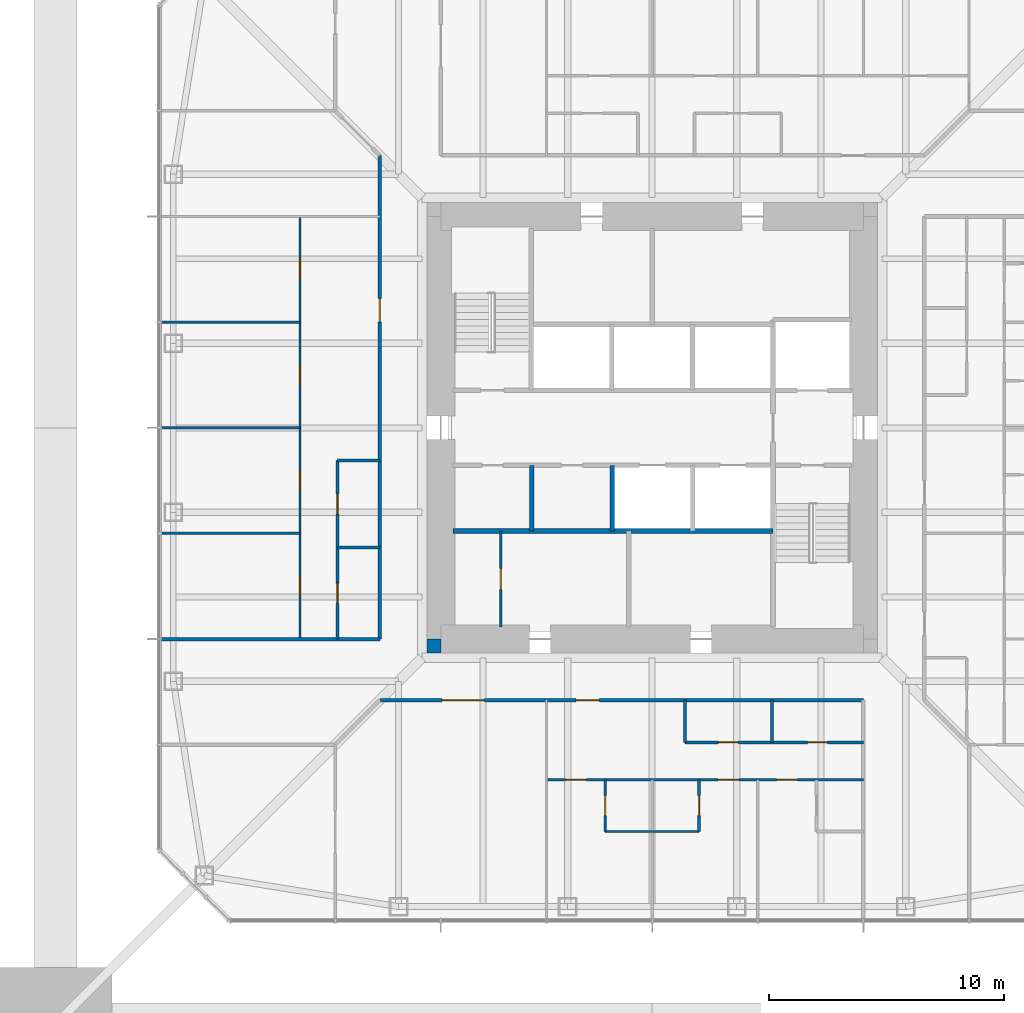
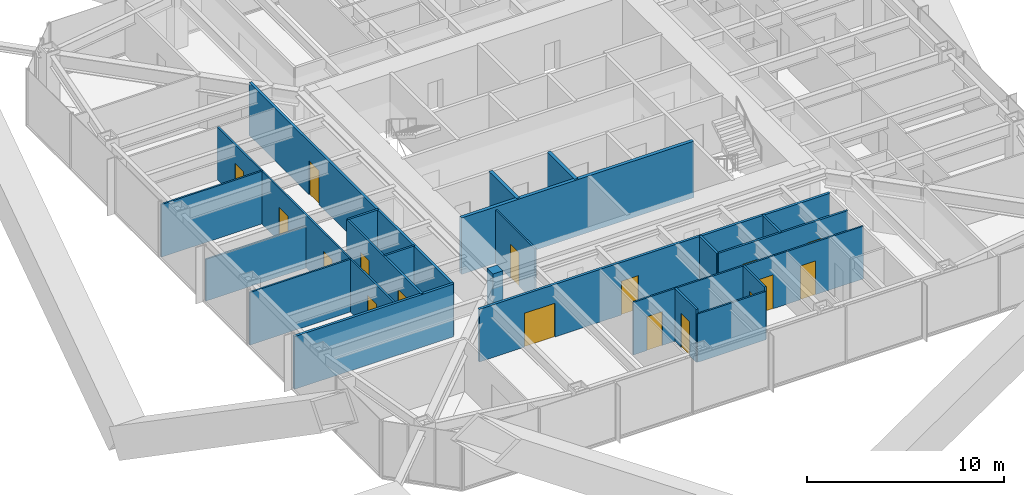
# One storey, part 10 of 17: 22 walls, 17 doors, 17 openings.
"""IFC4 building model written with IfcOpenShell, lengths in metres."""

from ifc_helpers import new_model, si_unit, direction, frame, frame_2d, origin, place, context, subcontext, project, spatial, rectangle, extrude, material, layer, layer_set, type_object, element, fill, save


model = new_model("IFC4")

# Units and contexts
model_context = context("Model", 3, precision=1e-05, world=origin(), true_north=direction((0.0, 1.0)))
body_context = subcontext(model_context, "Body", "Model", "MODEL_VIEW")
ifc_project = project(units=[si_unit("LENGTHUNIT", "METRE"), si_unit("AREAUNIT", "SQUARE_METRE"), si_unit("VOLUMEUNIT", "CUBIC_METRE"), si_unit("PLANEANGLEUNIT", "RADIAN"), si_unit("MASSUNIT", "GRAM", prefix="KILO")], contexts=[model_context])

# Site, building, storey
site_placement = place(None, origin())
site = spatial("IfcSite", under=ifc_project, at=site_placement, CompositionType="ELEMENT")
building_placement = place(site_placement, origin())
building = spatial("IfcBuilding", under=site, at=building_placement, Name="Iwan Alto Co-Living Towers", CompositionType="ELEMENT")
storey_placement = place(building_placement, frame((0.0, 0.0, 133.0)))
storey = spatial("IfcBuildingStorey", under=building, at=storey_placement, Name="L36", CompositionType="ELEMENT", Elevation=133.0)

# Wall, openings, doors
ifc_material_1 = material(Name="Gypsum board")
ifc_layer_1 = layer(ifc_material_1, 0.02490234375, Name="Board", Category="Finish")
ifc_material_2 = material(Name="Steel ASTM A1003 ST33H cold-formed studs", Category="steel")
ifc_layer_2 = layer(ifc_material_2, 0.10009765625, Name="Studs", Category="Framing")
ifc_layer_3 = layer(ifc_material_1, 0.02490234375, Name="Board", Category="Finish")
ifc_layer_set_1 = layer_set([ifc_layer_1, ifc_layer_2, ifc_layer_3], Name="CORRIDOR WALL 150")
wall_type_1 = type_object("IfcWallType", Name="CORRIDOR WALL 150", PredefinedType="PARTITIONING", material=ifc_layer_set_1)
wall_1_placement = place(storey_placement, frame((-11.60009765625, -11.60009765625, 0.0), z_axis=(0.0, 0.0, 1.0), x_axis=(1.0, 0.0, 0.0)))
wall_1 = element("IfcWall", 1, at=wall_1_placement, inside=storey, type_object=wall_type_1, Name="Partition L36", PredefinedType="PARTITIONING", context=body_context, shape_type="SweptSolid", body=[
    extrude(rectangle(XDim=20.60009765625, YDim=0.14990234375, at=frame_2d((10.300048828125, 0.0))), origin(), (0.0, 0.0, 1.0), 3.27001953125),
])
opening_1_placement = place(wall_1_placement, frame((2.64990234375, 0.0, 0.0)))
opening_1 = element("IfcOpeningElement", 2, at=opening_1_placement, cuts=wall_1, Name="Opening D9", PredefinedType="OPENING", context=body_context, shape_type="SweptSolid", body=[
    extrude(rectangle(XDim=1.800048828125, YDim=2.10009765625, at=frame_2d((0.89990234375, 1.050048828125))), frame((0.0, 0.0849609375, 0.0), z_axis=(0.0, -1.0, 0.0), x_axis=(1.0, 0.0, 0.0)), (0.0, 0.0, 1.0), 0.169921875),
])
opening_2_placement = place(wall_1_placement, frame((8.35009765625, 0.0, 0.0)))
opening_2 = element("IfcOpeningElement", 3, at=opening_2_placement, cuts=wall_1, Name="Opening D3", PredefinedType="OPENING", context=body_context, shape_type="SweptSolid", body=[
    extrude(rectangle(XDim=1.0, YDim=2.10009765625, at=frame_2d((0.5, 1.050048828125))), frame((0.0, 0.0849609375, 0.0), z_axis=(0.0, -1.0, 0.0), x_axis=(1.0, 0.0, 0.0)), (0.0, 0.0, 1.0), 0.169921875),
])
ifc_material_3 = material(Name="Steel frame with timber leaf", Category="steel")
door_type_1 = type_object("IfcDoorType", Name="FLAT ENTRANCE DOOR FD30S 1000X2100", OperationType="SINGLE_SWING_LEFT", PredefinedType="DOOR", material=ifc_material_3)
door_1_placement = place(opening_2_placement, frame((1.0, 0.0, 0.0), z_axis=(0.0, 0.0, 1.0), x_axis=(-1.0, 0.0, 0.0)))
door_1 = element("IfcDoor", 4, at=door_1_placement, inside=storey, type_object=door_type_1, Name="Cluster lounge and shared kitchen door L36", OperationType="SINGLE_SWING_RIGHT", OverallHeight=2.10009765625, OverallWidth=1.0, PredefinedType="DOOR", context=body_context, shape_type="SweptSolid", body=[
    extrude(rectangle(XDim=1.0, YDim=2.10009765625, at=frame_2d((0.5, 1.050048828125))), frame((0.0, 0.02490234375, 0.0), z_axis=(0.0, -1.0, 0.0), x_axis=(1.0, 0.0, 0.0)), (0.0, 0.0, 1.0), 0.050048828125),
])
fill(opening_2, door_1)
ifc_material_4 = material(Name="Steel frame with timber leaf", Category="steel")
door_type_2 = type_object("IfcDoorType", Name="LOUNGE DOOR FD30S 1800X2100", OperationType="DOUBLE_DOOR_SINGLE_SWING", PredefinedType="DOOR", material=ifc_material_4)
door_2_placement = place(opening_1_placement, frame((1.800048828125, 0.0, 0.0), z_axis=(0.0, 0.0, 1.0), x_axis=(-1.0, 0.0, 0.0)))
door_2 = element("IfcDoor", 5, at=door_2_placement, inside=storey, type_object=door_type_2, Name="Study commons door L36", OperationType="DOUBLE_DOOR_SINGLE_SWING", OverallHeight=2.10009765625, OverallWidth=1.800048828125, PredefinedType="DOOR", context=body_context, shape_type="SweptSolid", body=[
    extrude(rectangle(XDim=1.800048828125, YDim=2.10009765625, at=frame_2d((0.89990234375, 1.050048828125))), frame((0.0, 0.02490234375, 0.0), z_axis=(0.0, -1.0, 0.0), x_axis=(1.0, 0.0, 0.0)), (0.0, 0.0, 1.0), 0.050048828125),
])
fill(opening_1, door_2)

# Wall
wall_2_placement = place(storey_placement, frame((-20.93994140625, -9.0, 0.0), z_axis=(0.0, 0.0, 1.0), x_axis=(1.0, 0.0, 0.0)))
element("IfcWall", 6, at=wall_2_placement, inside=storey, type_object=wall_type_1, Name="Partition L36", PredefinedType="PARTITIONING", context=body_context, shape_type="SweptSolid", body=[
    extrude(rectangle(XDim=9.33984375, YDim=0.14990234375, at=frame_2d((4.669921875, 0.0))), origin(), (0.0, 0.0, 1.0), 3.27001953125),
])

# Wall, opening, door
wall_3_placement = place(storey_placement, frame((-11.60009765625, -9.0, 0.0), z_axis=(0.0, 0.0, 1.0), x_axis=(0.0, 1.0, 0.0)))
wall_3 = element("IfcWall", 7, at=wall_3_placement, inside=storey, type_object=wall_type_1, Name="Partition L36", PredefinedType="PARTITIONING", context=body_context, shape_type="SweptSolid", body=[
    extrude(rectangle(XDim=20.60009765625, YDim=0.14990234375, at=frame_2d((10.300048828125, 0.0))), origin(), (0.0, 0.0, 1.0), 3.27001953125),
])
opening_3_placement = place(wall_3_placement, frame((13.5, 0.0, 0.0)))
opening_3 = element("IfcOpeningElement", 8, at=opening_3_placement, cuts=wall_3, Name="Opening D3", PredefinedType="OPENING", context=body_context, shape_type="SweptSolid", body=[
    extrude(rectangle(XDim=1.0, YDim=2.10009765625, at=frame_2d((0.5, 1.050048828125))), frame((0.0, 0.0849609375, 0.0), z_axis=(0.0, -1.0, 0.0), x_axis=(1.0, 0.0, 0.0)), (0.0, 0.0, 1.0), 0.169921875),
])
door_3_placement = place(opening_3_placement, origin())
door_3 = element("IfcDoor", 9, at=door_3_placement, inside=storey, type_object=door_type_1, Name="Cluster lounge and shared kitchen door L36", OperationType="SINGLE_SWING_RIGHT", OverallHeight=2.10009765625, OverallWidth=1.0, PredefinedType="DOOR", context=body_context, shape_type="SweptSolid", body=[
    extrude(rectangle(XDim=1.0, YDim=2.10009765625, at=frame_2d((0.5, 1.050048828125))), frame((0.0, 0.02490234375, 0.0), z_axis=(0.0, -1.0, 0.0), x_axis=(1.0, 0.0, 0.0)), (0.0, 0.0, 1.0), 0.050048828125),
])
fill(opening_3, door_3)

# Wall
ifc_layer_4 = layer(ifc_material_1, 0.012451171875, Name="Board", Category="Finish")
ifc_layer_5 = layer(ifc_material_2, 0.074951171875, Name="Studs", Category="Framing")
ifc_layer_6 = layer(ifc_material_1, 0.012451171875, Name="Board", Category="Finish")
ifc_layer_set_2 = layer_set([ifc_layer_4, ifc_layer_5, ifc_layer_6], Name="PARTITION 100")
wall_type_2 = type_object("IfcWallType", Name="PARTITION 100", PredefinedType="PARTITIONING", material=ifc_layer_set_2)
wall_4_placement = place(storey_placement, frame((-2.0, -17.199951171875, 0.0), z_axis=(0.0, 0.0, 1.0), x_axis=(1.0, 0.0, 0.0)))
element("IfcWall", 10, at=wall_4_placement, inside=storey, type_object=wall_type_2, Name="Partition L36", PredefinedType="PARTITIONING", context=body_context, shape_type="SweptSolid", body=[
    extrude(rectangle(XDim=4.0, YDim=0.10009765625, at=frame_2d((2.0, 0.0))), origin(), (0.0, 0.0, 1.0), 3.0),
])

# Wall, openings, doors
wall_5_placement = place(storey_placement, frame((-4.5, -15.0, 0.0), z_axis=(0.0, 0.0, 1.0), x_axis=(1.0, 0.0, 0.0)))
wall_5 = element("IfcWall", 11, at=wall_5_placement, inside=storey, type_object=wall_type_2, Name="Partition L36", PredefinedType="PARTITIONING", context=body_context, shape_type="SweptSolid", body=[
    extrude(rectangle(XDim=13.5, YDim=0.10009765625, at=frame_2d((6.75, 0.0))), origin(), (0.0, 0.0, 1.0), 3.27001953125),
])
opening_4_placement = place(wall_5_placement, frame((0.800048828125, 0.0, 0.0)))
opening_4 = element("IfcOpeningElement", 12, at=opening_4_placement, cuts=wall_5, Name="Opening D1", PredefinedType="OPENING", context=body_context, shape_type="SweptSolid", body=[
    extrude(rectangle(XDim=0.89990234375, YDim=2.10009765625, at=frame_2d((0.449951171875, 1.050048828125))), frame((0.0, 0.06005859375, 0.0), z_axis=(0.0, -1.0, 0.0), x_axis=(1.0, 0.0, 0.0)), (0.0, 0.0, 1.0), 0.1201171875),
])
opening_5_placement = place(wall_5_placement, frame((7.300048828125, 0.0, 0.0)))
opening_5 = element("IfcOpeningElement", 13, at=opening_5_placement, cuts=wall_5, Name="Opening D1", PredefinedType="OPENING", context=body_context, shape_type="SweptSolid", body=[
    extrude(rectangle(XDim=0.89990234375, YDim=2.10009765625, at=frame_2d((0.449951171875, 1.050048828125))), frame((0.0, 0.06005859375, 0.0), z_axis=(0.0, -1.0, 0.0), x_axis=(1.0, 0.0, 0.0)), (0.0, 0.0, 1.0), 0.1201171875),
])
opening_6_placement = place(wall_5_placement, frame((9.800048828125, 0.0, 0.0)))
opening_6 = element("IfcOpeningElement", 14, at=opening_6_placement, cuts=wall_5, Name="Opening D1", PredefinedType="OPENING", context=body_context, shape_type="SweptSolid", body=[
    extrude(rectangle(XDim=0.89990234375, YDim=2.10009765625, at=frame_2d((0.449951171875, 1.050048828125))), frame((0.0, 0.06005859375, 0.0), z_axis=(0.0, -1.0, 0.0), x_axis=(1.0, 0.0, 0.0)), (0.0, 0.0, 1.0), 0.1201171875),
])
ifc_material_5 = material(Name="Timber leaf in steel frame", Category="steel")
door_type_3 = type_object("IfcDoorType", Name="BEDROOM DOOR 900X2100", OperationType="SINGLE_SWING_LEFT", PredefinedType="DOOR", material=ifc_material_5)
door_4_placement = place(opening_4_placement, origin())
door_4 = element("IfcDoor", 15, at=door_4_placement, inside=storey, type_object=door_type_3, Name="Study bedroom door L36", OperationType="SINGLE_SWING_LEFT", OverallHeight=2.10009765625, OverallWidth=0.89990234375, PredefinedType="DOOR", context=body_context, shape_type="SweptSolid", body=[
    extrude(rectangle(XDim=0.89990234375, YDim=2.10009765625, at=frame_2d((0.449951171875, 1.050048828125))), frame((0.0, 0.02490234375, 0.0), z_axis=(0.0, -1.0, 0.0), x_axis=(1.0, 0.0, 0.0)), (0.0, 0.0, 1.0), 0.050048828125),
])
fill(opening_4, door_4)
door_5_placement = place(opening_5_placement, origin())
door_5 = element("IfcDoor", 16, at=door_5_placement, inside=storey, type_object=door_type_3, Name="Study bedroom door L36", OperationType="SINGLE_SWING_RIGHT", OverallHeight=2.10009765625, OverallWidth=0.89990234375, PredefinedType="DOOR", context=body_context, shape_type="SweptSolid", body=[
    extrude(rectangle(XDim=0.89990234375, YDim=2.10009765625, at=frame_2d((0.449951171875, 1.050048828125))), frame((0.0, 0.02490234375, 0.0), z_axis=(0.0, -1.0, 0.0), x_axis=(1.0, 0.0, 0.0)), (0.0, 0.0, 1.0), 0.050048828125),
])
fill(opening_5, door_5)
door_6_placement = place(opening_6_placement, origin())
door_6 = element("IfcDoor", 17, at=door_6_placement, inside=storey, type_object=door_type_3, Name="Study bedroom door L36", OperationType="SINGLE_SWING_RIGHT", OverallHeight=2.10009765625, OverallWidth=0.89990234375, PredefinedType="DOOR", context=body_context, shape_type="SweptSolid", body=[
    extrude(rectangle(XDim=0.89990234375, YDim=2.10009765625, at=frame_2d((0.449951171875, 1.050048828125))), frame((0.0, 0.02490234375, 0.0), z_axis=(0.0, -1.0, 0.0), x_axis=(1.0, 0.0, 0.0)), (0.0, 0.0, 1.0), 0.050048828125),
])
fill(opening_6, door_6)

# Walls
wall_6_placement = place(storey_placement, frame((-20.93994140625, -4.5, 0.0), z_axis=(0.0, 0.0, 1.0), x_axis=(1.0, 0.0, 0.0)))
element("IfcWall", 18, at=wall_6_placement, inside=storey, type_object=wall_type_2, Name="Partition L36", PredefinedType="PARTITIONING", context=body_context, shape_type="SweptSolid", body=[
    extrude(rectangle(XDim=5.93994140625, YDim=0.10009765625, at=frame_2d((2.969970703125, 0.0))), origin(), (0.0, 0.0, 1.0), 3.27001953125),
])
wall_7_placement = place(storey_placement, frame((-20.93994140625, 0.0, 0.0), z_axis=(0.0, 0.0, 1.0), x_axis=(1.0, 0.0, 0.0)))
element("IfcWall", 19, at=wall_7_placement, inside=storey, type_object=wall_type_2, Name="Partition L36", PredefinedType="PARTITIONING", context=body_context, shape_type="SweptSolid", body=[
    extrude(rectangle(XDim=5.93994140625, YDim=0.10009765625, at=frame_2d((2.969970703125, 0.0))), origin(), (0.0, 0.0, 1.0), 2.586669921875),
])
wall_8_placement = place(storey_placement, frame((-20.93994140625, 4.5, 0.0), z_axis=(0.0, 0.0, 1.0), x_axis=(1.0, 0.0, 0.0)))
element("IfcWall", 20, at=wall_8_placement, inside=storey, type_object=wall_type_2, Name="Partition L36", PredefinedType="PARTITIONING", context=body_context, shape_type="SweptSolid", body=[
    extrude(rectangle(XDim=5.93994140625, YDim=0.10009765625, at=frame_2d((2.969970703125, 0.0))), origin(), (0.0, 0.0, 1.0), 3.27001953125),
])

# Wall, opening, door
wall_9_placement = place(storey_placement, frame((-6.449951171875, -8.489990234375, 0.0), z_axis=(0.0, 0.0, 1.0), x_axis=(0.0, 1.0, 0.0)))
wall_9 = element("IfcWall", 21, at=wall_9_placement, inside=storey, type_object=wall_type_2, Name="Partition L36", PredefinedType="PARTITIONING", context=body_context, shape_type="SweptSolid", body=[
    extrude(rectangle(XDim=4.090087890625, YDim=0.10009765625, at=frame_2d((2.044921875, 0.0))), origin(), (0.0, 0.0, 1.0), 3.300048828125),
])
opening_7_placement = place(wall_9_placement, frame((1.594970703125, 0.0, 0.0)))
opening_7 = element("IfcOpeningElement", 22, at=opening_7_placement, cuts=wall_9, Name="Opening D16", PredefinedType="OPENING", context=body_context, shape_type="SweptSolid", body=[
    extrude(rectangle(XDim=0.89990234375, YDim=2.10009765625, at=frame_2d((0.449951171875, 1.050048828125))), frame((0.0, 0.06005859375, 0.0), z_axis=(0.0, -1.0, 0.0), x_axis=(1.0, 0.0, 0.0)), (0.0, 0.0, 1.0), 0.1201171875),
])
ifc_material_6 = material(Name="Timber leaf in steel frame", Category="steel")
door_type_4 = type_object("IfcDoorType", Name="CUPBOARD SLIDING DOOR 900X2100", OperationType="SLIDING_TO_LEFT", PredefinedType="DOOR", material=ifc_material_6)
door_7_placement = place(opening_7_placement, origin())
door_7 = element("IfcDoor", 23, at=door_7_placement, inside=storey, type_object=door_type_4, Name="Cleaner's store door L36", OperationType="SLIDING_TO_LEFT", OverallHeight=2.10009765625, OverallWidth=0.89990234375, PredefinedType="DOOR", context=body_context, shape_type="SweptSolid", body=[
    extrude(rectangle(XDim=0.89990234375, YDim=2.10009765625, at=frame_2d((0.449951171875, 1.050048828125))), frame((0.0, 0.02490234375, 0.0), z_axis=(0.0, -1.0, 0.0), x_axis=(1.0, 0.0, 0.0)), (0.0, 0.0, 1.0), 0.050048828125),
])
fill(opening_7, door_7)

# Wall, openings, doors
wall_10_placement = place(storey_placement, frame((-15.0, -9.0, 0.0), z_axis=(0.0, 0.0, 1.0), x_axis=(0.0, 1.0, 0.0)))
wall_10 = element("IfcWall", 24, at=wall_10_placement, inside=storey, type_object=wall_type_2, Name="Partition L36", PredefinedType="PARTITIONING", context=body_context, shape_type="SweptSolid", body=[
    extrude(rectangle(XDim=18.0, YDim=0.10009765625, at=frame_2d((9.0, 0.0))), origin(), (0.0, 0.0, 1.0), 3.27001953125),
])
opening_8_placement = place(wall_10_placement, frame((15.300048828125, 0.0, 0.0)))
opening_8 = element("IfcOpeningElement", 25, at=opening_8_placement, cuts=wall_10, Name="Opening D1", PredefinedType="OPENING", context=body_context, shape_type="SweptSolid", body=[
    extrude(rectangle(XDim=0.89990234375, YDim=2.10009765625, at=frame_2d((0.449951171875, 1.050048828125))), frame((0.0, 0.06005859375, 0.0), z_axis=(0.0, -1.0, 0.0), x_axis=(1.0, 0.0, 0.0)), (0.0, 0.0, 1.0), 0.1201171875),
])
opening_9_placement = place(wall_10_placement, frame((10.800048828125, 0.0, 0.0)))
opening_9 = element("IfcOpeningElement", 26, at=opening_9_placement, cuts=wall_10, Name="Opening D1", PredefinedType="OPENING", context=body_context, shape_type="SweptSolid", body=[
    extrude(rectangle(XDim=0.89990234375, YDim=2.10009765625, at=frame_2d((0.449951171875, 1.050048828125))), frame((0.0, 0.06005859375, 0.0), z_axis=(0.0, -1.0, 0.0), x_axis=(1.0, 0.0, 0.0)), (0.0, 0.0, 1.0), 0.1201171875),
])
opening_10_placement = place(wall_10_placement, frame((6.300048828125, 0.0, 0.0)))
opening_10 = element("IfcOpeningElement", 27, at=opening_10_placement, cuts=wall_10, Name="Opening D1", PredefinedType="OPENING", context=body_context, shape_type="SweptSolid", body=[
    extrude(rectangle(XDim=0.89990234375, YDim=2.10009765625, at=frame_2d((0.449951171875, 1.050048828125))), frame((0.0, 0.06005859375, 0.0), z_axis=(0.0, -1.0, 0.0), x_axis=(1.0, 0.0, 0.0)), (0.0, 0.0, 1.0), 0.1201171875),
])
opening_11_placement = place(wall_10_placement, frame((1.800048828125, 0.0, 0.0)))
opening_11 = element("IfcOpeningElement", 28, at=opening_11_placement, cuts=wall_10, Name="Opening D1", PredefinedType="OPENING", context=body_context, shape_type="SweptSolid", body=[
    extrude(rectangle(XDim=0.89990234375, YDim=2.10009765625, at=frame_2d((0.449951171875, 1.050048828125))), frame((0.0, 0.06005859375, 0.0), z_axis=(0.0, -1.0, 0.0), x_axis=(1.0, 0.0, 0.0)), (0.0, 0.0, 1.0), 0.1201171875),
])
door_8_placement = place(opening_8_placement, frame((0.89990234375, 0.0, 0.0), z_axis=(0.0, 0.0, 1.0), x_axis=(-1.0, 0.0, 0.0)))
door_8 = element("IfcDoor", 29, at=door_8_placement, inside=storey, type_object=door_type_3, Name="Study bedroom door L36", OperationType="SINGLE_SWING_LEFT", OverallHeight=2.10009765625, OverallWidth=0.89990234375, PredefinedType="DOOR", context=body_context, shape_type="SweptSolid", body=[
    extrude(rectangle(XDim=0.89990234375, YDim=2.10009765625, at=frame_2d((0.449951171875, 1.050048828125))), frame((0.0, 0.02490234375, 0.0), z_axis=(0.0, -1.0, 0.0), x_axis=(1.0, 0.0, 0.0)), (0.0, 0.0, 1.0), 0.050048828125),
])
fill(opening_8, door_8)
door_9_placement = place(opening_9_placement, frame((0.89990234375, 0.0, 0.0), z_axis=(0.0, 0.0, 1.0), x_axis=(-1.0, 0.0, 0.0)))
door_9 = element("IfcDoor", 30, at=door_9_placement, inside=storey, type_object=door_type_3, Name="Study bedroom door L36", OperationType="SINGLE_SWING_LEFT", OverallHeight=2.10009765625, OverallWidth=0.89990234375, PredefinedType="DOOR", context=body_context, shape_type="SweptSolid", body=[
    extrude(rectangle(XDim=0.89990234375, YDim=2.10009765625, at=frame_2d((0.449951171875, 1.050048828125))), frame((0.0, 0.02490234375, 0.0), z_axis=(0.0, -1.0, 0.0), x_axis=(1.0, 0.0, 0.0)), (0.0, 0.0, 1.0), 0.050048828125),
])
fill(opening_9, door_9)
door_10_placement = place(opening_10_placement, frame((0.89990234375, 0.0, 0.0), z_axis=(0.0, 0.0, 1.0), x_axis=(-1.0, 0.0, 0.0)))
door_10 = element("IfcDoor", 31, at=door_10_placement, inside=storey, type_object=door_type_3, Name="Study bedroom door L36", OperationType="SINGLE_SWING_RIGHT", OverallHeight=2.10009765625, OverallWidth=0.89990234375, PredefinedType="DOOR", context=body_context, shape_type="SweptSolid", body=[
    extrude(rectangle(XDim=0.89990234375, YDim=2.10009765625, at=frame_2d((0.449951171875, 1.050048828125))), frame((0.0, 0.02490234375, 0.0), z_axis=(0.0, -1.0, 0.0), x_axis=(1.0, 0.0, 0.0)), (0.0, 0.0, 1.0), 0.050048828125),
])
fill(opening_10, door_10)
door_11_placement = place(opening_11_placement, frame((0.89990234375, 0.0, 0.0), z_axis=(0.0, 0.0, 1.0), x_axis=(-1.0, 0.0, 0.0)))
door_11 = element("IfcDoor", 32, at=door_11_placement, inside=storey, type_object=door_type_3, Name="Study bedroom door L36", OperationType="SINGLE_SWING_RIGHT", OverallHeight=2.10009765625, OverallWidth=0.89990234375, PredefinedType="DOOR", context=body_context, shape_type="SweptSolid", body=[
    extrude(rectangle(XDim=0.89990234375, YDim=2.10009765625, at=frame_2d((0.449951171875, 1.050048828125))), frame((0.0, 0.02490234375, 0.0), z_axis=(0.0, -1.0, 0.0), x_axis=(1.0, 0.0, 0.0)), (0.0, 0.0, 1.0), 0.050048828125),
])
fill(opening_11, door_11)

# Walls
ifc_material_7 = material(Name="Concrete f'c 70 MPa", Category="concrete")
ifc_layer_7 = layer(ifc_material_7, 0.199951171875)
ifc_layer_set_3 = layer_set([ifc_layer_7], Name="SHAFT WALL 200")
wall_type_3 = type_object("IfcWallType", Name="SHAFT WALL 200", PredefinedType="SOLIDWALL", material=ifc_layer_set_3)
wall_11_placement = place(storey_placement, frame((-8.489990234375, -4.39990234375, 0.0), z_axis=(0.0, 0.0, 1.0), x_axis=(1.0, 0.0, 0.0)))
element("IfcWall", 33, at=wall_11_placement, inside=storey, type_object=wall_type_3, Name="Shaft wall L36", PredefinedType="SOLIDWALL", context=body_context, shape_type="SweptSolid", body=[
    extrude(rectangle(XDim=13.639892578125, YDim=0.199951171875, at=frame_2d((6.81982421875, 0.0))), origin(), (0.0, 0.0, 1.0), 3.5),
])
for number, where, z_axis, x_axis, name in (
    (34, (-1.699951171875, -4.39990234375, 0.0), (0.0, 0.0, 1.0), (0.0, 1.0, 0.0), "Shaft wall L36"),
    (35, (-5.125, -4.39990234375, 0.0), (0.0, 0.0, 1.0), (0.0, 1.0, 0.0), "Shaft wall L36"),
):
    element("IfcWall", number, at=place(storey_placement, frame(where, z_axis=z_axis, x_axis=x_axis)), inside=storey, type_object=wall_type_3, Name=name, PredefinedType="SOLIDWALL", context=body_context, shape_type="SweptSolid", body=[
        extrude(rectangle(XDim=2.7998046875, YDim=0.199951171875, at=frame_2d((1.39990234375, 0.0))), origin(), (0.0, 0.0, 1.0), 3.5),
    ])
ifc_material_8 = material(Name="Concrete f'c 70 MPa", Category="concrete")
ifc_layer_8 = layer(ifc_material_8, 0.60009765625)
ifc_layer_set_4 = layer_set([ifc_layer_8], Name="T1 CORE CORNER FILL 600")
wall_type_4 = type_object("IfcWallType", Name="T1 CORE CORNER FILL 600", PredefinedType="SOLIDWALL", material=ifc_layer_set_4)
wall_12_placement = place(storey_placement, frame((-9.60009765625, -9.300048828125, 0.0), z_axis=(0.0, 0.0, 1.0), x_axis=(1.0, 0.0, 0.0)))
element("IfcWall", 36, at=wall_12_placement, inside=storey, type_object=wall_type_4, Name="T1 core corner SW L36", PredefinedType="SOLIDWALL", context=body_context, shape_type="SweptSolid", body=[
    extrude(rectangle(XDim=0.60009765625, YDim=0.60009765625, at=frame_2d((0.300048828125, 0.0))), origin(), (0.0, 0.0, 1.0), 3.5),
])

# Wall, openings, doors
ifc_material_9 = material(Name="Cement board")
ifc_layer_9 = layer(ifc_material_9, 0.012451171875, Name="Board", Category="Finish")
ifc_layer_10 = layer(ifc_material_2, 0.094970703125, Name="Studs", Category="Framing")
ifc_layer_11 = layer(ifc_material_9, 0.012451171875, Name="Board", Category="Finish")
ifc_layer_set_5 = layer_set([ifc_layer_9, ifc_layer_10, ifc_layer_11], Name="WET AREA PARTITION 120")
wall_type_5 = type_object("IfcWallType", Name="WET AREA PARTITION 120", PredefinedType="PARTITIONING", material=ifc_layer_set_5)
wall_13_placement = place(storey_placement, frame((1.39990234375, -13.39990234375, 0.0), z_axis=(0.0, 0.0, 1.0), x_axis=(1.0, 0.0, 0.0)))
wall_13 = element("IfcWall", 37, at=wall_13_placement, inside=storey, type_object=wall_type_5, Name="Partition L36", PredefinedType="PARTITIONING", context=body_context, shape_type="SweptSolid", body=[
    extrude(rectangle(XDim=7.60009765625, YDim=0.1201171875, at=frame_2d((3.800048828125, 0.0))), origin(), (0.0, 0.0, 1.0), 3.27001953125),
])
opening_12_placement = place(wall_13_placement, frame((1.425048828125, 0.0, 0.0)))
opening_12 = element("IfcOpeningElement", 38, at=opening_12_placement, cuts=wall_13, Name="Opening D2", PredefinedType="OPENING", context=body_context, shape_type="SweptSolid", body=[
    extrude(rectangle(XDim=0.85009765625, YDim=2.10009765625, at=frame_2d((0.425048828125, 1.050048828125))), frame((0.0, 0.070068359375, 0.0), z_axis=(0.0, -1.0, 0.0), x_axis=(1.0, 0.0, 0.0)), (0.0, 0.0, 1.0), 0.14013671875),
])
opening_13_placement = place(wall_13_placement, frame((5.22509765625, 0.0, 0.0)))
opening_13 = element("IfcOpeningElement", 39, at=opening_13_placement, cuts=wall_13, Name="Opening D2", PredefinedType="OPENING", context=body_context, shape_type="SweptSolid", body=[
    extrude(rectangle(XDim=0.85009765625, YDim=2.10009765625, at=frame_2d((0.425048828125, 1.050048828125))), frame((0.0, 0.070068359375, 0.0), z_axis=(0.0, -1.0, 0.0), x_axis=(1.0, 0.0, 0.0)), (0.0, 0.0, 1.0), 0.14013671875),
])
ifc_material_10 = material(Name="Timber leaf in steel frame", Category="steel")
door_type_5 = type_object("IfcDoorType", Name="ROOM DOOR 850X2100", OperationType="SINGLE_SWING_LEFT", PredefinedType="DOOR", material=ifc_material_10)
door_12_placement = place(opening_12_placement, frame((0.85009765625, 0.0, 0.0), z_axis=(0.0, 0.0, 1.0), x_axis=(-1.0, 0.0, 0.0)))
door_12 = element("IfcDoor", 40, at=door_12_placement, inside=storey, type_object=door_type_5, Name="Accessible bathroom door L36", OperationType="SINGLE_SWING_LEFT", OverallHeight=2.10009765625, OverallWidth=0.85009765625, PredefinedType="DOOR", context=body_context, shape_type="SweptSolid", body=[
    extrude(rectangle(XDim=0.85009765625, YDim=2.10009765625, at=frame_2d((0.425048828125, 1.050048828125))), frame((0.0, 0.02490234375, 0.0), z_axis=(0.0, -1.0, 0.0), x_axis=(1.0, 0.0, 0.0)), (0.0, 0.0, 1.0), 0.050048828125),
])
fill(opening_12, door_12)
door_13_placement = place(opening_13_placement, frame((0.85009765625, 0.0, 0.0), z_axis=(0.0, 0.0, 1.0), x_axis=(-1.0, 0.0, 0.0)))
door_13 = element("IfcDoor", 41, at=door_13_placement, inside=storey, type_object=door_type_5, Name="Laundry door L36", OperationType="SINGLE_SWING_LEFT", OverallHeight=2.10009765625, OverallWidth=0.85009765625, PredefinedType="DOOR", context=body_context, shape_type="SweptSolid", body=[
    extrude(rectangle(XDim=0.85009765625, YDim=2.10009765625, at=frame_2d((0.425048828125, 1.050048828125))), frame((0.0, 0.02490234375, 0.0), z_axis=(0.0, -1.0, 0.0), x_axis=(1.0, 0.0, 0.0)), (0.0, 0.0, 1.0), 0.050048828125),
])
fill(opening_13, door_13)

# Walls
for number, where, z_axis, x_axis, name in (
    (42, (-13.39990234375, -5.10009765625, 0.0), (0.0, 0.0, 1.0), (1.0, 0.0, 0.0), "Partition L36"),
    (43, (-13.39990234375, -1.39990234375, 0.0), (0.0, 0.0, 1.0), (1.0, 0.0, 0.0), "Partition L36"),
    (44, (5.10009765625, -13.39990234375, 0.0), (0.0, 0.0, 1.0), (0.0, 1.0, 0.0), "Partition L36"),
):
    element("IfcWall", number, at=place(storey_placement, frame(where, z_axis=z_axis, x_axis=x_axis)), inside=storey, type_object=wall_type_5, Name=name, PredefinedType="PARTITIONING", context=body_context, shape_type="SweptSolid", body=[
        extrude(rectangle(XDim=1.7998046875, YDim=0.1201171875, at=frame_2d((0.89990234375, 0.0))), origin(), (0.0, 0.0, 1.0), 3.27001953125),
    ])

# Wall, opening, door
wall_14_placement = place(storey_placement, frame((2.0, -17.199951171875, 0.0), z_axis=(0.0, 0.0, 1.0), x_axis=(0.0, 1.0, 0.0)))
wall_14 = element("IfcWall", 45, at=wall_14_placement, inside=storey, type_object=wall_type_5, Name="Partition L36", PredefinedType="PARTITIONING", context=body_context, shape_type="SweptSolid", body=[
    extrude(rectangle(XDim=2.199951171875, YDim=0.1201171875, at=frame_2d((1.10009765625, 0.0))), origin(), (0.0, 0.0, 1.0), 3.27001953125),
])
opening_14_placement = place(wall_14_placement, frame((0.675048828125, 0.0, 0.0)))
opening_14 = element("IfcOpeningElement", 46, at=opening_14_placement, cuts=wall_14, Name="Opening D2", PredefinedType="OPENING", context=body_context, shape_type="SweptSolid", body=[
    extrude(rectangle(XDim=0.85009765625, YDim=2.10009765625, at=frame_2d((0.425048828125, 1.050048828125))), frame((0.0, 0.070068359375, 0.0), z_axis=(0.0, -1.0, 0.0), x_axis=(1.0, 0.0, 0.0)), (0.0, 0.0, 1.0), 0.14013671875),
])
door_14_placement = place(opening_14_placement, frame((0.85009765625, 0.0, 0.0), z_axis=(0.0, 0.0, 1.0), x_axis=(-1.0, 0.0, 0.0)))
door_14 = element("IfcDoor", 47, at=door_14_placement, inside=storey, type_object=door_type_5, Name="En-suite shower room door L36", OperationType="SINGLE_SWING_LEFT", OverallHeight=2.10009765625, OverallWidth=0.85009765625, PredefinedType="DOOR", context=body_context, shape_type="SweptSolid", body=[
    extrude(rectangle(XDim=0.85009765625, YDim=2.10009765625, at=frame_2d((0.425048828125, 1.050048828125))), frame((0.0, 0.02490234375, 0.0), z_axis=(0.0, -1.0, 0.0), x_axis=(1.0, 0.0, 0.0)), (0.0, 0.0, 1.0), 0.050048828125),
])
fill(opening_14, door_14)

# Wall
wall_15_placement = place(storey_placement, frame((1.39990234375, -13.39990234375, 0.0), z_axis=(0.0, 0.0, 1.0), x_axis=(0.0, 1.0, 0.0)))
element("IfcWall", 48, at=wall_15_placement, inside=storey, type_object=wall_type_5, Name="Partition L36", PredefinedType="PARTITIONING", context=body_context, shape_type="SweptSolid", body=[
    extrude(rectangle(XDim=1.7998046875, YDim=0.1201171875, at=frame_2d((0.89990234375, 0.0))), origin(), (0.0, 0.0, 1.0), 3.27001953125),
])

# Wall, opening, door
wall_16_placement = place(storey_placement, frame((-2.0, -17.199951171875, 0.0), z_axis=(0.0, 0.0, 1.0), x_axis=(0.0, 1.0, 0.0)))
wall_16 = element("IfcWall", 49, at=wall_16_placement, inside=storey, type_object=wall_type_5, Name="Partition L36", PredefinedType="PARTITIONING", context=body_context, shape_type="SweptSolid", body=[
    extrude(rectangle(XDim=2.199951171875, YDim=0.1201171875, at=frame_2d((1.10009765625, 0.0))), origin(), (0.0, 0.0, 1.0), 3.27001953125),
])
opening_15_placement = place(wall_16_placement, frame((0.675048828125, 0.0, 0.0)))
opening_15 = element("IfcOpeningElement", 50, at=opening_15_placement, cuts=wall_16, Name="Opening D2", PredefinedType="OPENING", context=body_context, shape_type="SweptSolid", body=[
    extrude(rectangle(XDim=0.85009765625, YDim=2.10009765625, at=frame_2d((0.425048828125, 1.050048828125))), frame((0.0, 0.070068359375, 0.0), z_axis=(0.0, -1.0, 0.0), x_axis=(1.0, 0.0, 0.0)), (0.0, 0.0, 1.0), 0.14013671875),
])
door_15_placement = place(opening_15_placement, origin())
door_15 = element("IfcDoor", 51, at=door_15_placement, inside=storey, type_object=door_type_5, Name="En-suite shower room door L36", OperationType="SINGLE_SWING_RIGHT", OverallHeight=2.10009765625, OverallWidth=0.85009765625, PredefinedType="DOOR", context=body_context, shape_type="SweptSolid", body=[
    extrude(rectangle(XDim=0.85009765625, YDim=2.10009765625, at=frame_2d((0.425048828125, 1.050048828125))), frame((0.0, 0.02490234375, 0.0), z_axis=(0.0, -1.0, 0.0), x_axis=(1.0, 0.0, 0.0)), (0.0, 0.0, 1.0), 0.050048828125),
])
fill(opening_15, door_15)

# Wall, openings, doors
wall_17_placement = place(storey_placement, frame((-13.39990234375, -9.0, 0.0), z_axis=(0.0, 0.0, 1.0), x_axis=(0.0, 1.0, 0.0)))
wall_17 = element("IfcWall", 52, at=wall_17_placement, inside=storey, type_object=wall_type_5, Name="Partition L36", PredefinedType="PARTITIONING", context=body_context, shape_type="SweptSolid", body=[
    extrude(rectangle(XDim=7.60009765625, YDim=0.1201171875, at=frame_2d((3.800048828125, 0.0))), origin(), (0.0, 0.0, 1.0), 3.27001953125),
])
opening_16_placement = place(wall_17_placement, frame((5.324951171875, 0.0, 0.0)))
opening_16 = element("IfcOpeningElement", 53, at=opening_16_placement, cuts=wall_17, Name="Opening D2", PredefinedType="OPENING", context=body_context, shape_type="SweptSolid", body=[
    extrude(rectangle(XDim=0.85009765625, YDim=2.10009765625, at=frame_2d((0.425048828125, 1.050048828125))), frame((0.0, 0.070068359375, 0.0), z_axis=(0.0, -1.0, 0.0), x_axis=(1.0, 0.0, 0.0)), (0.0, 0.0, 1.0), 0.14013671875),
])
opening_17_placement = place(wall_17_placement, frame((1.52490234375, 0.0, 0.0)))
opening_17 = element("IfcOpeningElement", 54, at=opening_17_placement, cuts=wall_17, Name="Opening D2", PredefinedType="OPENING", context=body_context, shape_type="SweptSolid", body=[
    extrude(rectangle(XDim=0.85009765625, YDim=2.10009765625, at=frame_2d((0.425048828125, 1.050048828125))), frame((0.0, 0.070068359375, 0.0), z_axis=(0.0, -1.0, 0.0), x_axis=(1.0, 0.0, 0.0)), (0.0, 0.0, 1.0), 0.14013671875),
])
door_16_placement = place(opening_16_placement, origin())
door_16 = element("IfcDoor", 55, at=door_16_placement, inside=storey, type_object=door_type_5, Name="Accessible bathroom door L36", OperationType="SINGLE_SWING_LEFT", OverallHeight=2.10009765625, OverallWidth=0.85009765625, PredefinedType="DOOR", context=body_context, shape_type="SweptSolid", body=[
    extrude(rectangle(XDim=0.85009765625, YDim=2.10009765625, at=frame_2d((0.425048828125, 1.050048828125))), frame((0.0, 0.02490234375, 0.0), z_axis=(0.0, -1.0, 0.0), x_axis=(1.0, 0.0, 0.0)), (0.0, 0.0, 1.0), 0.050048828125),
])
fill(opening_16, door_16)
door_17_placement = place(opening_17_placement, origin())
door_17 = element("IfcDoor", 56, at=door_17_placement, inside=storey, type_object=door_type_5, Name="Laundry door L36", OperationType="SINGLE_SWING_LEFT", OverallHeight=2.10009765625, OverallWidth=0.85009765625, PredefinedType="DOOR", context=body_context, shape_type="SweptSolid", body=[
    extrude(rectangle(XDim=0.85009765625, YDim=2.10009765625, at=frame_2d((0.425048828125, 1.050048828125))), frame((0.0, 0.02490234375, 0.0), z_axis=(0.0, -1.0, 0.0), x_axis=(1.0, 0.0, 0.0)), (0.0, 0.0, 1.0), 0.050048828125),
])
fill(opening_17, door_17)

save(model, "model.ifc")
